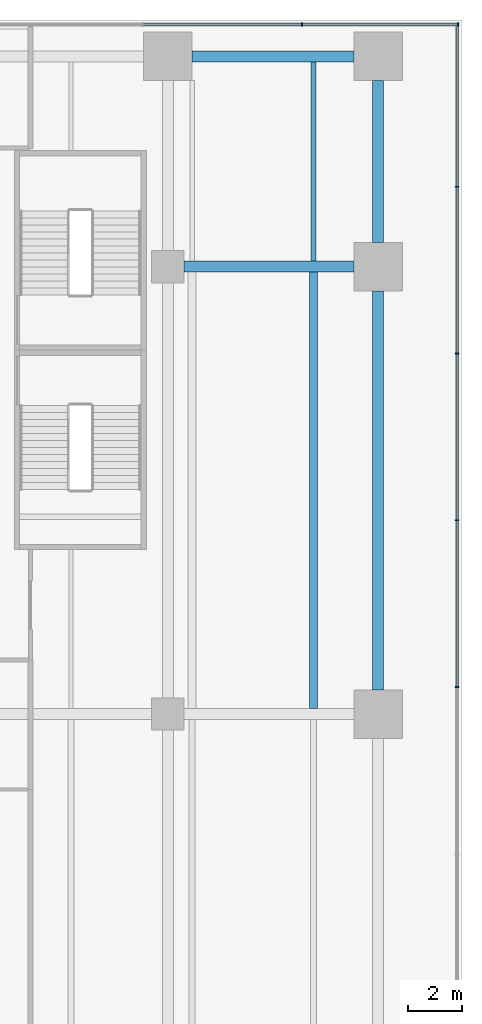
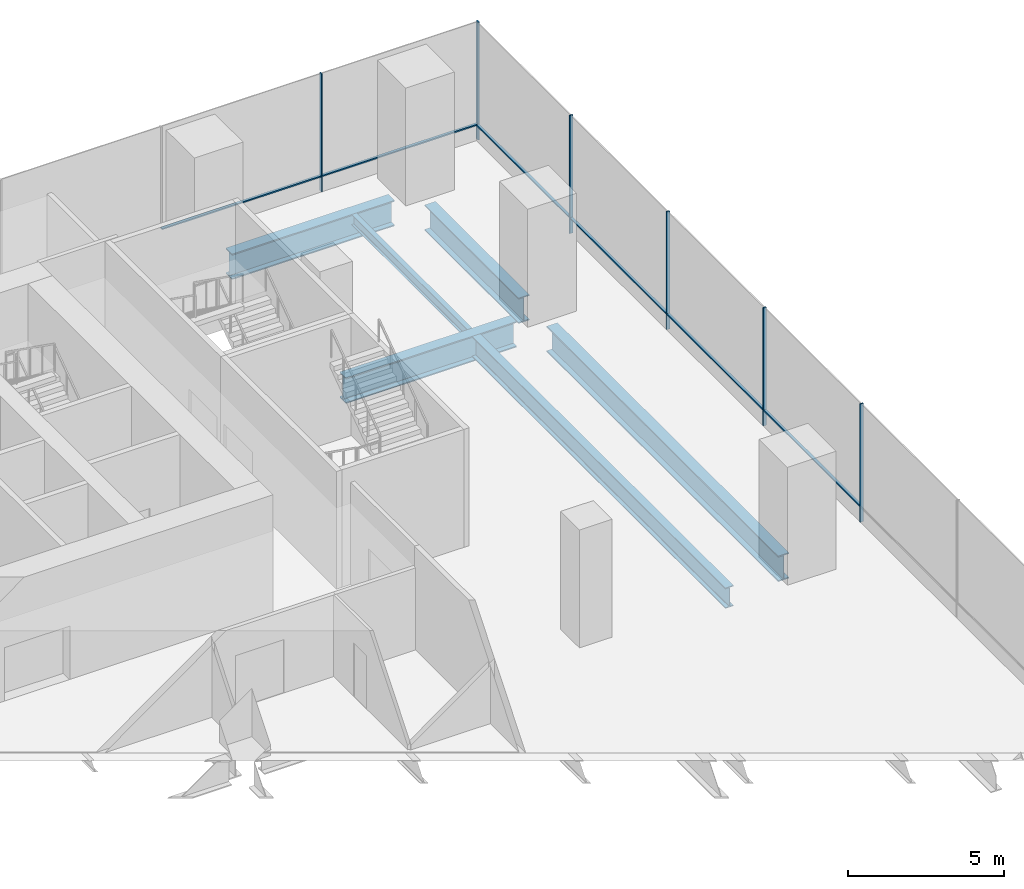
# One storey, part 16 of 28: 12 members, 6 beams, 2 elements without a shape of their own.
"""IFC4 building model written with IfcOpenShell, lengths in metres."""

from ifc_helpers import new_model, si_unit, direction, frame, origin, origin_2d, place, context, subcontext, project, spatial, rectangle, i_section, extrude, material, layer, layer_set, material_profile, profile_set, type_object, element, aggregate, save


model = new_model("IFC4")

# Units and contexts
model_context = context("Model", 3, precision=1e-05, world=origin(), true_north=direction((0.0, 1.0)))
body_context = subcontext(model_context, "Body", "Model", "MODEL_VIEW")
ifc_project = project(units=[si_unit("LENGTHUNIT", "METRE"), si_unit("AREAUNIT", "SQUARE_METRE"), si_unit("VOLUMEUNIT", "CUBIC_METRE"), si_unit("PLANEANGLEUNIT", "RADIAN"), si_unit("MASSUNIT", "GRAM", prefix="KILO")], contexts=[model_context])

# Site, building, storey
site_placement = place(None, origin())
site = spatial("IfcSite", under=ifc_project, at=site_placement, CompositionType="ELEMENT")
building_placement = place(site_placement, origin())
building = spatial("IfcBuilding", under=site, at=building_placement, Name="Rattan Terrace Tower", CompositionType="ELEMENT")
storey_placement = place(building_placement, frame((0.0, 0.0, 22.199951171875)))
storey = spatial("IfcBuildingStorey", under=building, at=storey_placement, Name="L04", CompositionType="ELEMENT", Elevation=22.199951171875)

# Beams
ifc_material_1 = material(Name="Steel S355", Category="steel")
ifc_material_profile_1 = material_profile(ifc_material_1, i_section(OverallWidth=0.300048828125, OverallDepth=0.800048828125, WebThickness=0.017578125, FlangeThickness=0.032958984375, FilletRadius=0.030029296875, at=origin_2d()), Name="HE 800 B")
ifc_profile_set_1 = profile_set([ifc_material_profile_1], Name="Steel S355")
beam_type_1 = type_object("IfcBeamType", Name="Frame floor beam HE 800 B", PredefinedType="JOIST", material=ifc_profile_set_1)
beam_1_placement = place(storey_placement, frame((31.5, -13.300048828125, -0.599853515625), z_axis=(0.0, 1.0, 0.0), x_axis=(-1.0, 0.0, 0.0)))
element("IfcBeam", 1, at=beam_1_placement, inside=storey, type_object=beam_type_1, Name="bm-L04-038", PredefinedType="JOIST", context=body_context, shape_type="SweptSolid", body=[
    extrude(i_section(OverallWidth=0.300048828125, OverallDepth=0.800048828125, WebThickness=0.017578125, FlangeThickness=0.032958984375, FilletRadius=0.030029296875, at=origin_2d()), origin(), (0.0, 0.0, 1.0), 16.199951171875),
])
ifc_material_2 = material(Name="Steel S355", Category="steel")
ifc_material_profile_2 = material_profile(ifc_material_2, i_section(OverallWidth=0.179931640625, OverallDepth=0.39990234375, WebThickness=0.008544921875, FlangeThickness=0.013427734375, FilletRadius=0.02099609375, at=origin_2d()), Name="IPE 400")
ifc_profile_set_2 = profile_set([ifc_material_profile_2], Name="Steel S355")
beam_type_2 = type_object("IfcBeamType", Name="Frame floor beam IPE 400", PredefinedType="JOIST", material=ifc_profile_set_2)
beam_2_placement = place(storey_placement, frame((31.5, 3.300048828125, -0.39990234375), z_axis=(0.0, 1.0, 0.0), x_axis=(-1.0, 0.0, 0.0)))
element("IfcBeam", 2, at=beam_2_placement, inside=storey, type_object=beam_type_2, Name="bm-L04-042", PredefinedType="JOIST", context=body_context, shape_type="SweptSolid", body=[
    extrude(i_section(OverallWidth=0.179931640625, OverallDepth=0.39990234375, WebThickness=0.008544921875, FlangeThickness=0.013427734375, FilletRadius=0.02099609375, at=origin_2d()), origin(), (0.0, 0.0, 1.0), 7.39990234375),
])
ifc_material_3 = material(Name="Steel S460", Category="steel")
ifc_material_profile_3 = material_profile(ifc_material_3, i_section(OverallWidth=0.39990234375, OverallDepth=1.0, WebThickness=0.01806640625, FlangeThickness=0.044921875, at=origin_2d()), Name="PG 1000x400-18-45")
ifc_profile_set_3 = profile_set([ifc_material_profile_3], Name="Steel S460")
beam_type_3 = type_object("IfcBeamType", Name="Frame podium girder PG 1000x400-18-45", PredefinedType="USERDEFINED", material=ifc_profile_set_3)
beam_3_placement = place(storey_placement, frame((33.89990234375, -12.60009765625, -0.699951171875), z_axis=(0.0, 1.0, 0.0), x_axis=(-1.0, 0.0, 0.0)))
element("IfcBeam", 3, at=beam_3_placement, inside=storey, type_object=beam_type_3, Name="gdr-L04-039", ObjectType="PODIUM GIRDER", PredefinedType="USERDEFINED", context=body_context, shape_type="SweptSolid", body=[
    extrude(i_section(OverallWidth=0.39990234375, OverallDepth=1.0, WebThickness=0.01806640625, FlangeThickness=0.044921875, at=origin_2d()), origin(), (0.0, 0.0, 1.0), 14.800048828125),
])
beam_4_placement = place(storey_placement, frame((26.699951171875, 3.10009765625, -0.699951171875), z_axis=(1.0, 0.0, 0.0), x_axis=(0.0, 1.0, 0.0)))
element("IfcBeam", 4, at=beam_4_placement, inside=storey, type_object=beam_type_3, Name="gdr-L04-041", ObjectType="PODIUM GIRDER", PredefinedType="USERDEFINED", context=body_context, shape_type="SweptSolid", body=[
    extrude(i_section(OverallWidth=0.39990234375, OverallDepth=1.0, WebThickness=0.01806640625, FlangeThickness=0.044921875, at=origin_2d()), origin(), (0.0, 0.0, 1.0), 6.300048828125),
])
for number, where, z_axis, x_axis, name in (
    (5, (33.89990234375, 4.0, -0.699951171875), (0.0, 1.0, 0.0), (-1.0, 0.0, 0.0), "gdr-L04-045"),
    (6, (27.0, 10.89990234375, -0.699951171875), (1.0, 0.0, 0.0), (0.0, 1.0, 0.0), "gdr-L04-051"),
):
    element("IfcBeam", number, at=place(storey_placement, frame(where, z_axis=z_axis, x_axis=x_axis)), inside=storey, type_object=beam_type_3, Name=name, ObjectType="PODIUM GIRDER", PredefinedType="USERDEFINED", context=body_context, shape_type="SweptSolid", body=[
        extrude(i_section(OverallWidth=0.39990234375, OverallDepth=1.0, WebThickness=0.01806640625, FlangeThickness=0.044921875, at=origin_2d()), origin(), (0.0, 0.0, 1.0), 6.0),
    ])

# Curtain wall, members
ifc_material_4 = material(Name="Aluminium and glass", Category="aluminium")
ifc_layer = layer(ifc_material_4, 0.1201171875)
ifc_layer_set = layer_set([ifc_layer], Name="Station Storefront Curtain Wall")
curtain_wall_type = type_object("IfcCurtainWallType", Name="Station Storefront Curtain Wall", PredefinedType="NOTDEFINED", material=ifc_layer_set)
curtain_wall_1_placement = place(storey_placement, origin())
curtain_wall_1 = element("IfcCurtainWall", 7, at=curtain_wall_1_placement, inside=storey, type_object=curtain_wall_type, Name="Storefront curtain wall L04-1", PredefinedType="NOTDEFINED")
ifc_material_5 = material(Name="Aluminium", Category="aluminium")
ifc_material_profile_4 = material_profile(ifc_material_5, rectangle(XDim=0.050048828125, YDim=0.1201171875, at=origin_2d()), Name="Aluminium 50x120")
ifc_profile_set_4 = profile_set([ifc_material_profile_4], Name="Aluminium")
member_type_1 = type_object("IfcMemberType", Name="Storefront CW Mullion 50x120", PredefinedType="MULLION", material=ifc_profile_set_4)
member_1_placement = place(storey_placement, frame((36.830078125, -12.498046875, 0.0), z_axis=(0.0, 0.0, 1.0), x_axis=(0.0, 1.0, 0.0)))
member_1 = element("IfcMember", 8, at=member_1_placement, type_object=member_type_1, Name="Mullion cwl-L04-001.5", PredefinedType="MULLION", context=body_context, shape_type="SweptSolid", body=[
    extrude(rectangle(XDim=0.050048828125, YDim=0.1201171875, at=origin_2d()), origin(), (0.0, 0.0, 1.0), 4.60009765625),
])
member_2_placement = place(storey_placement, frame((36.830078125, -6.31005859375, 0.0), z_axis=(0.0, 0.0, 1.0), x_axis=(0.0, 1.0, 0.0)))
member_2 = element("IfcMember", 9, at=member_2_placement, type_object=member_type_1, Name="Mullion cwl-L04-001.6", PredefinedType="MULLION", context=body_context, shape_type="SweptSolid", body=[
    extrude(rectangle(XDim=0.050048828125, YDim=0.1201171875, at=origin_2d()), origin(), (0.0, 0.0, 1.0), 4.60009765625),
])
member_3_placement = place(storey_placement, frame((36.830078125, -0.1220703125, 0.0), z_axis=(0.0, 0.0, 1.0), x_axis=(0.0, 1.0, 0.0)))
member_3 = element("IfcMember", 10, at=member_3_placement, type_object=member_type_1, Name="Mullion cwl-L04-001.7", PredefinedType="MULLION", context=body_context, shape_type="SweptSolid", body=[
    extrude(rectangle(XDim=0.050048828125, YDim=0.1201171875, at=origin_2d()), origin(), (0.0, 0.0, 1.0), 4.60009765625),
])
member_4_placement = place(storey_placement, frame((36.830078125, 6.06591796875, 0.0), z_axis=(0.0, 0.0, 1.0), x_axis=(0.0, 1.0, 0.0)))
member_4 = element("IfcMember", 11, at=member_4_placement, type_object=member_type_1, Name="Mullion cwl-L04-001.8", PredefinedType="MULLION", context=body_context, shape_type="SweptSolid", body=[
    extrude(rectangle(XDim=0.050048828125, YDim=0.1201171875, at=origin_2d()), origin(), (0.0, 0.0, 1.0), 4.60009765625),
])

curtain_wall_2_placement = place(storey_placement, origin())
curtain_wall_2 = element("IfcCurtainWall", 12, at=curtain_wall_2_placement, inside=storey, type_object=curtain_wall_type, Name="Storefront curtain wall L04-2", PredefinedType="NOTDEFINED")
member_5_placement = place(storey_placement, frame((36.864990234375, 12.080078125, 0.0), z_axis=(0.0, 0.0, 1.0), x_axis=(-1.0, 0.0, 0.0)))
member_5 = element("IfcMember", 13, at=member_5_placement, type_object=member_type_1, Name="Mullion cwl-L04-002.1", PredefinedType="MULLION", context=body_context, shape_type="SweptSolid", body=[
    extrude(rectangle(XDim=0.050048828125, YDim=0.1201171875, at=origin_2d()), origin(), (0.0, 0.0, 1.0), 4.60009765625),
])
member_6_placement = place(storey_placement, frame((31.080078125, 12.080078125, 0.0), z_axis=(0.0, 0.0, 1.0), x_axis=(-1.0, 0.0, 0.0)))
member_6 = element("IfcMember", 14, at=member_6_placement, type_object=member_type_1, Name="Mullion cwl-L04-002.2", PredefinedType="MULLION", context=body_context, shape_type="SweptSolid", body=[
    extrude(rectangle(XDim=0.050048828125, YDim=0.1201171875, at=origin_2d()), origin(), (0.0, 0.0, 1.0), 4.60009765625),
])

# Member
ifc_material_6 = material(Name="Aluminium", Category="aluminium")
ifc_material_profile_5 = material_profile(ifc_material_6, rectangle(XDim=0.10009765625, YDim=0.050048828125, at=origin_2d()), Name="Aluminium 100x50")
ifc_profile_set_5 = profile_set([ifc_material_profile_5], Name="Aluminium")
member_type_2 = type_object("IfcMemberType", Name="Storefront CW Transom 100x50", PredefinedType="USERDEFINED", material=ifc_profile_set_5)
member_7_placement = place(storey_placement, frame((36.830078125, -12.472900390625, 0.60009765625), z_axis=(0.0, 1.0, 0.0), x_axis=(-1.0, 0.0, 0.0)))
member_7 = element("IfcMember", 15, at=member_7_placement, type_object=member_type_2, Name="Transom cwl-L04-001.5", ObjectType="TRANSOM", PredefinedType="USERDEFINED", context=body_context, shape_type="SweptSolid", body=[
    extrude(rectangle(XDim=0.10009765625, YDim=0.050048828125, at=origin_2d()), origin(), (0.0, 0.0, 1.0), 6.137939453125),
])

member_8_placement = place(storey_placement, frame((36.830078125, -6.284912109375, 0.60009765625), z_axis=(0.0, 1.0, 0.0), x_axis=(-1.0, 0.0, 0.0)))
member_8 = element("IfcMember", 16, at=member_8_placement, type_object=member_type_2, Name="Transom cwl-L04-001.6", ObjectType="TRANSOM", PredefinedType="USERDEFINED", context=body_context, shape_type="SweptSolid", body=[
    extrude(rectangle(XDim=0.10009765625, YDim=0.050048828125, at=origin_2d()), origin(), (0.0, 0.0, 1.0), 6.137939453125),
])

member_9_placement = place(storey_placement, frame((36.830078125, -0.096923828125, 0.60009765625), z_axis=(0.0, 1.0, 0.0), x_axis=(-1.0, 0.0, 0.0)))
member_9 = element("IfcMember", 17, at=member_9_placement, type_object=member_type_2, Name="Transom cwl-L04-001.7", ObjectType="TRANSOM", PredefinedType="USERDEFINED", context=body_context, shape_type="SweptSolid", body=[
    extrude(rectangle(XDim=0.10009765625, YDim=0.050048828125, at=origin_2d()), origin(), (0.0, 0.0, 1.0), 6.137939453125),
])

member_10_placement = place(storey_placement, frame((36.830078125, 6.091064453125, 0.60009765625), z_axis=(0.0, 1.0, 0.0), x_axis=(-1.0, 0.0, 0.0)))
member_10 = element("IfcMember", 18, at=member_10_placement, type_object=member_type_2, Name="Transom cwl-L04-001.8", ObjectType="TRANSOM", PredefinedType="USERDEFINED", context=body_context, shape_type="SweptSolid", body=[
    extrude(rectangle(XDim=0.10009765625, YDim=0.050048828125, at=origin_2d()), origin(), (0.0, 0.0, 1.0), 5.928955078125),
])

aggregate(curtain_wall_1, [member_1, member_2, member_3, member_4, member_7, member_8, member_9, member_10])

member_11_placement = place(storey_placement, frame((36.840087890625, 12.080078125, 0.60009765625), z_axis=(-1.0, 0.0, 0.0), x_axis=(0.0, -1.0, 0.0)))
member_11 = element("IfcMember", 19, at=member_11_placement, type_object=member_type_2, Name="Transom cwl-L04-002.1", ObjectType="TRANSOM", PredefinedType="USERDEFINED", context=body_context, shape_type="SweptSolid", body=[
    extrude(rectangle(XDim=0.10009765625, YDim=0.050048828125, at=origin_2d()), origin(), (0.0, 0.0, 1.0), 5.735107421875),
])

member_12_placement = place(storey_placement, frame((31.054931640625, 12.080078125, 0.60009765625), z_axis=(-1.0, 0.0, 0.0), x_axis=(0.0, -1.0, 0.0)))
member_12 = element("IfcMember", 20, at=member_12_placement, type_object=member_type_2, Name="Transom cwl-L04-002.2", ObjectType="TRANSOM", PredefinedType="USERDEFINED", context=body_context, shape_type="SweptSolid", body=[
    extrude(rectangle(XDim=0.10009765625, YDim=0.050048828125, at=origin_2d()), origin(), (0.0, 0.0, 1.0), 5.869873046875),
])

aggregate(curtain_wall_2, [member_5, member_6, member_11, member_12])

save(model, "model.ifc")
